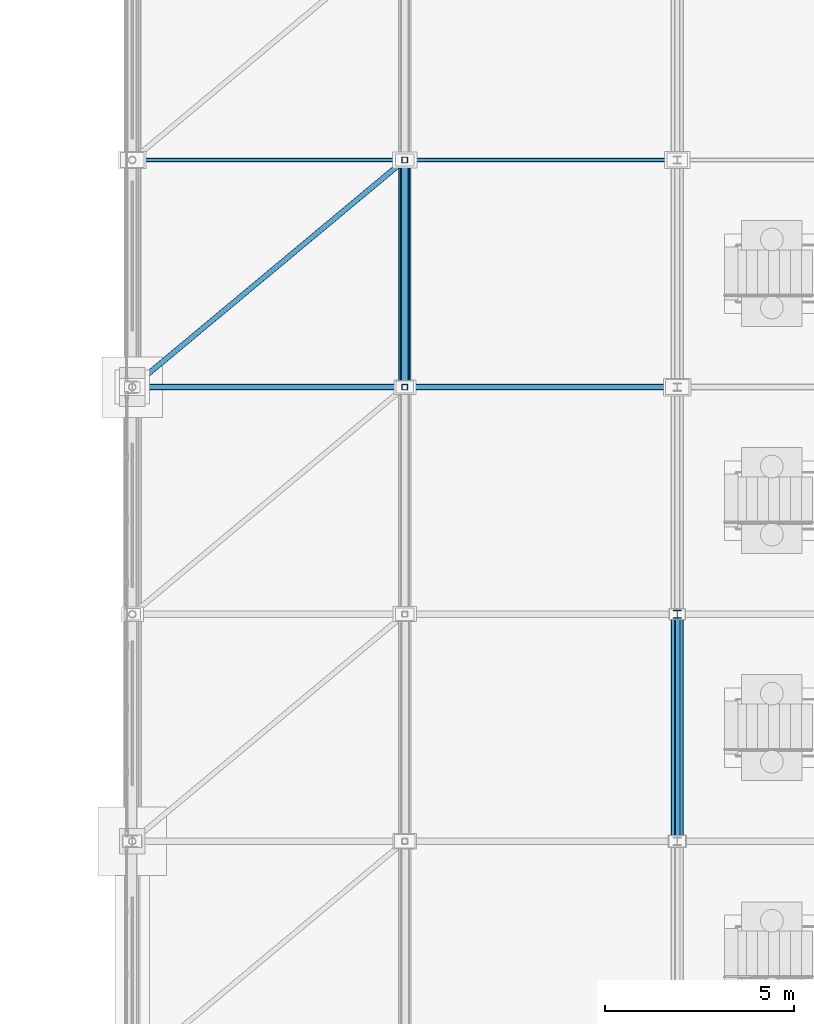
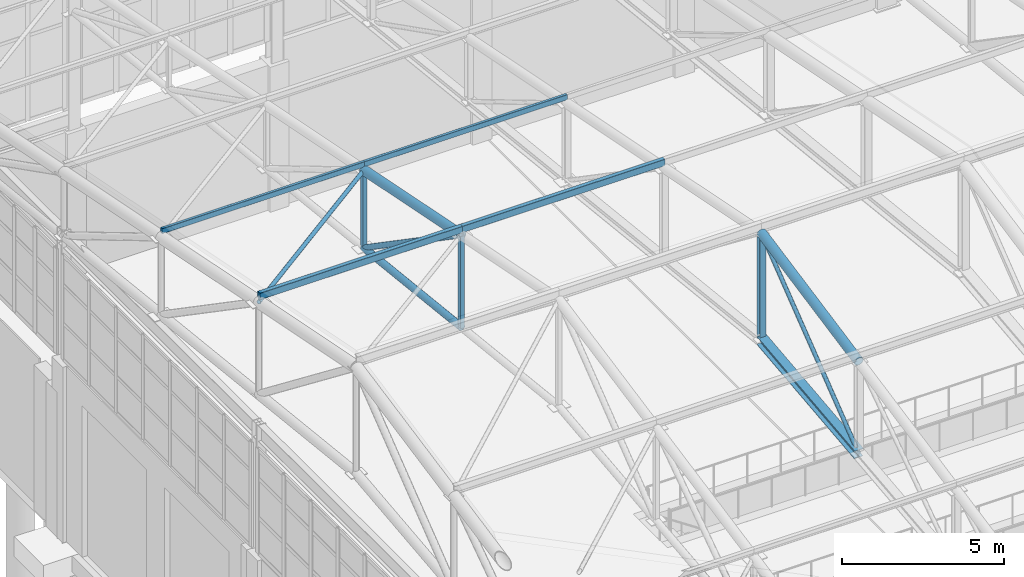
# One storey, part 123 of 293: 14 members.
"""IFC4 building model written with IfcOpenShell, lengths in metres."""

from ifc_helpers import new_model, si_unit, direction, frame, origin, origin_2d, place, context, subcontext, project, spatial, hollow_rectangle, hollow_circle, i_section, extrude, material, material_profile, profile_set, type_object, element, save


model = new_model("IFC4")

# Units and contexts
model_context = context("Model", 3, precision=1e-05, world=origin(), true_north=direction((0.0, 1.0)))
body_context = subcontext(model_context, "Body", "Model", "MODEL_VIEW")
ifc_project = project(units=[si_unit("LENGTHUNIT", "METRE"), si_unit("AREAUNIT", "SQUARE_METRE"), si_unit("VOLUMEUNIT", "CUBIC_METRE"), si_unit("PLANEANGLEUNIT", "RADIAN"), si_unit("MASSUNIT", "GRAM", prefix="KILO")], contexts=[model_context])

# Site, building, storey
site_placement = place(None, origin())
site = spatial("IfcSite", under=ifc_project, at=site_placement, CompositionType="ELEMENT")
building_placement = place(site_placement, origin())
building = spatial("IfcBuilding", under=site, at=building_placement, Name="Kemerveld Promenade Tramway Depot", CompositionType="ELEMENT")
storey_placement = place(building_placement, origin())
storey = spatial("IfcBuildingStorey", under=building, at=storey_placement, Name="L00", CompositionType="ELEMENT", Elevation=0.0)

# Members
ifc_material = material(Name="Steel S355", Category="steel")
ifc_material_profile_1 = material_profile(ifc_material, hollow_rectangle(XDim=0.14990234375, YDim=0.25, WallThickness=0.010009765625, InnerFilletRadius=0.0048828125, OuterFilletRadius=0.014892578125, at=origin_2d()), Name="250x150x10.0 RHS")
ifc_profile_set_1 = profile_set([ifc_material_profile_1], Name="Steel S355")
member_type_1 = type_object("IfcMemberType", Name="MB-PR1", PredefinedType="PURLIN", material=ifc_profile_set_1)
for number, where, z_axis, x_axis, name in (
    (1, (36.0, 120.0, 16.14501953125), (1.0, 0.0, 0.0), (0.0, 1.0, 0.0), "PUR-V1-06-06"),
    (2, (43.199951171875, 120.0, 16.14501953125), (1.0, 0.0, 0.0), (0.0, 1.0, 0.0), "PUR-V1-06-07"),
):
    element("IfcMember", number, at=place(storey_placement, frame(where, z_axis=z_axis, x_axis=x_axis)), inside=storey, type_object=member_type_1, Name=name, PredefinedType="PURLIN", context=body_context, shape_type="SweptSolid", body=[
        extrude(hollow_rectangle(XDim=0.14990234375, YDim=0.25, WallThickness=0.010009765625, InnerFilletRadius=0.0048828125, OuterFilletRadius=0.014892578125, at=origin_2d()), origin(), (0.0, 0.0, 1.0), 7.199951171875),
    ])
ifc_material_profile_2 = material_profile(ifc_material, hollow_rectangle(XDim=0.10009765625, YDim=0.199951171875, WallThickness=0.008056640625, InnerFilletRadius=0.00390625, OuterFilletRadius=0.011962890625, at=origin_2d()), Name="200x100x8.0 RHS")
ifc_profile_set_2 = profile_set([ifc_material_profile_2], Name="Steel S355")
member_type_2 = type_object("IfcMemberType", Name="MB-PR2", PredefinedType="PURLIN", material=ifc_profile_set_2)
for number, where, z_axis, x_axis, name in (
    (3, (36.0, 126.0, 14.945068359375), (1.0, 0.0, 0.0), (0.0, 1.0, 0.0), "PUR-V1-07-06"),
    (4, (43.199951171875, 126.0, 14.945068359375), (1.0, 0.0, 0.0), (0.0, 1.0, 0.0), "PUR-V1-07-07"),
):
    element("IfcMember", number, at=place(storey_placement, frame(where, z_axis=z_axis, x_axis=x_axis)), inside=storey, type_object=member_type_2, Name=name, PredefinedType="PURLIN", context=body_context, shape_type="SweptSolid", body=[
        extrude(hollow_rectangle(XDim=0.10009765625, YDim=0.199951171875, WallThickness=0.008056640625, InnerFilletRadius=0.00390625, OuterFilletRadius=0.011962890625, at=origin_2d()), origin(), (0.0, 0.0, 1.0), 7.199951171875),
    ])
ifc_material_profile_3 = material_profile(ifc_material, hollow_circle(Radius=0.096923828125, WallThickness=0.008056640625, at=origin_2d()), Name="193.7x8.0 CHS")
ifc_profile_set_3 = profile_set([ifc_material_profile_3], Name="Steel S355")
member_type_3 = type_object("IfcMemberType", Name="MB-TB2", PredefinedType="BRACE", material=ifc_profile_set_3)
member_1_placement = place(storey_placement, frame((43.199951171875, 126.0, 11.780029296875), z_axis=(0.0, -0.824370638462, 0.566050395673), x_axis=(1.0, 0.0, 0.0)))
element("IfcMember", 5, at=member_1_placement, inside=storey, type_object=member_type_3, Name="TR-07-DG-07", PredefinedType="BRACE", context=body_context, shape_type="SweptSolid", body=[
    extrude(hollow_circle(Radius=0.096923828125, WallThickness=0.008056640625, at=origin_2d()), origin(), (0.0, 0.0, 1.0), 7.2783203125),
])
ifc_material_profile_4 = material_profile(ifc_material, hollow_circle(Radius=0.06982421875, WallThickness=0.00634765625, at=origin_2d()), Name="139.7x6.3 CHS")
ifc_profile_set_4 = profile_set([ifc_material_profile_4], Name="Steel S355")
member_type_4 = type_object("IfcMemberType", Name="MB-TB3", PredefinedType="BRACE", material=ifc_profile_set_4)
member_2_placement = place(storey_placement, frame((50.39990234375, 108.0, 12.43994140625), z_axis=(0.0, 0.789767329101, 0.613406525793), x_axis=(-1.0, 0.0, 0.0)))
element("IfcMember", 6, at=member_2_placement, inside=storey, type_object=member_type_4, Name="TR-08-DG-05", PredefinedType="BRACE", context=body_context, shape_type="SweptSolid", body=[
    extrude(hollow_circle(Radius=0.06982421875, WallThickness=0.00634765625, at=origin_2d()), origin(), (0.0, 0.0, 1.0), 7.59716796875),
])
member_3_placement = place(storey_placement, frame((36.0, 120.0, 15.89990234375), z_axis=(0.761999094998, 0.635003552225, -0.126995542773), x_axis=(-0.640186961885, 0.768219144407, 0.0)))
element("IfcMember", 7, at=member_3_placement, inside=storey, type_object=member_type_4, Name="RBR-V1-06-06", PredefinedType="BRACE", context=body_context, shape_type="SweptSolid", body=[
    extrude(hollow_circle(Radius=0.06982421875, WallThickness=0.00634765625, at=origin_2d()), origin(), (0.0, 0.0, 1.0), 9.44873046875),
])
ifc_material_profile_5 = material_profile(ifc_material, hollow_circle(Radius=0.161865234375, WallThickness=0.012451171875, at=origin_2d()), Name="323.9x12.5 CHS")
ifc_profile_set_5 = profile_set([ifc_material_profile_5], Name="Steel S355")
member_type_5 = type_object("IfcMemberType", Name="MB-TC2", PredefinedType="CHORD", material=ifc_profile_set_5)
for number, where, z_axis, x_axis, name in (
    (8, (43.199951171875, 120.0, 15.89990234375), (0.0, 0.980582210276, -0.196108462057), (-1.0, 0.0, 0.0), "TR-07-TC-07"),
    (9, (50.39990234375, 108.0, 15.89990234375), (0.0, 0.980574536798, 0.196146827104), (-1.0, 0.0, 0.0), "TR-08-TC-05"),
):
    element("IfcMember", number, at=place(storey_placement, frame(where, z_axis=z_axis, x_axis=x_axis)), inside=storey, type_object=member_type_5, Name=name, PredefinedType="CHORD", context=body_context, shape_type="SweptSolid", body=[
        extrude(hollow_circle(Radius=0.161865234375, WallThickness=0.012451171875, at=origin_2d()), origin(), (0.0, 0.0, 1.0), 6.118896484375),
    ])
ifc_material_profile_6 = material_profile(ifc_material, hollow_circle(Radius=0.122314453125, WallThickness=0.010009765625, at=origin_2d()), Name="244.5x10.0 CHS")
ifc_profile_set_6 = profile_set([ifc_material_profile_6], Name="Steel S355")
member_type_6 = type_object("IfcMemberType", Name="MB-TC3", PredefinedType="CHORD", material=ifc_profile_set_6)
member_4_placement = place(storey_placement, frame((43.199951171875, 120.0, 12.43994140625), z_axis=(0.0, 0.994005938353, -0.109326092585), x_axis=(-1.0, 0.0, 0.0)))
element("IfcMember", 10, at=member_4_placement, inside=storey, type_object=member_type_6, Name="TR-07-BC-07", PredefinedType="CHORD", context=body_context, shape_type="SweptSolid", body=[
    extrude(hollow_circle(Radius=0.122314453125, WallThickness=0.010009765625, at=origin_2d()), origin(), (0.0, 0.0, 1.0), 6.0361328125),
])
ifc_material_profile_7 = material_profile(ifc_material, i_section(OverallWidth=0.307373046875, OverallDepth=0.314453125, WebThickness=0.011962890625, FlangeThickness=0.018798828125, FilletRadius=0.01513671875, at=origin_2d()), Name="305x305x118 UC")
ifc_profile_set_7 = profile_set([ifc_material_profile_7], Name="Steel S355")
member_type_7 = type_object("IfcMemberType", Name="MB-TC4", PredefinedType="CHORD", material=ifc_profile_set_7)
member_5_placement = place(storey_placement, frame((50.39990234375, 108.0, 12.43994140625), z_axis=(0.0, 0.994001542248, 0.109366055104), x_axis=(-1.0, 0.0, 0.0)))
element("IfcMember", 11, at=member_5_placement, inside=storey, type_object=member_type_7, Name="TR-08-BC-05", PredefinedType="CHORD", context=body_context, shape_type="SweptSolid", body=[
    extrude(i_section(OverallWidth=0.307373046875, OverallDepth=0.314453125, WebThickness=0.011962890625, FlangeThickness=0.018798828125, FilletRadius=0.01513671875, at=origin_2d()), origin(), (0.0, 0.0, 1.0), 6.0361328125),
])
ifc_material_profile_8 = material_profile(ifc_material, hollow_rectangle(XDim=0.14990234375, YDim=0.14990234375, WallThickness=0.008056640625, InnerFilletRadius=0.00390625, OuterFilletRadius=0.011962890625, at=origin_2d()), Name="150x150x8.0 SHS")
ifc_profile_set_8 = profile_set([ifc_material_profile_8], Name="Steel S355")
member_type_8 = type_object("IfcMemberType", Name="MB-TP2", PredefinedType="POST", material=ifc_profile_set_8)
member_6_placement = place(storey_placement, frame((43.199951171875, 120.0, 12.43994140625), z_axis=(0.0, 0.0, 1.0), x_axis=(1.0, 0.0, 0.0)))
element("IfcMember", 12, at=member_6_placement, inside=storey, type_object=member_type_8, Name="TR-07-VT-06", PredefinedType="POST", context=body_context, shape_type="SweptSolid", body=[
    extrude(hollow_rectangle(XDim=0.14990234375, YDim=0.14990234375, WallThickness=0.008056640625, InnerFilletRadius=0.00390625, OuterFilletRadius=0.011962890625, at=origin_2d()), origin(), (0.0, 0.0, 1.0), 3.4599609375),
])
member_7_placement = place(storey_placement, frame((43.199951171875, 126.0, 11.780029296875), z_axis=(0.0, 0.0, 1.0), x_axis=(1.0, 0.0, 0.0)))
element("IfcMember", 13, at=member_7_placement, inside=storey, type_object=member_type_8, Name="TR-07-VT-07", PredefinedType="POST", context=body_context, shape_type="SweptSolid", body=[
    extrude(hollow_rectangle(XDim=0.14990234375, YDim=0.14990234375, WallThickness=0.008056640625, InnerFilletRadius=0.00390625, OuterFilletRadius=0.011962890625, at=origin_2d()), origin(), (0.0, 0.0, 1.0), 2.919921875),
])
ifc_material_profile_9 = material_profile(ifc_material, i_section(OverallWidth=0.205810546875, OverallDepth=0.209716796875, WebThickness=0.009521484375, FlangeThickness=0.01416015625, FilletRadius=0.01025390625, at=origin_2d()), Name="203x203x60 UC")
ifc_profile_set_9 = profile_set([ifc_material_profile_9], Name="Steel S355")
member_type_9 = type_object("IfcMemberType", Name="MB-TP3", PredefinedType="POST", material=ifc_profile_set_9)
member_8_placement = place(storey_placement, frame((50.39990234375, 114.0, 13.10009765625), z_axis=(0.0, 0.0, 1.0), x_axis=(1.0, 0.0, 0.0)))
element("IfcMember", 14, at=member_8_placement, inside=storey, type_object=member_type_9, Name="TR-08-VT-05", PredefinedType="POST", context=body_context, shape_type="SweptSolid", body=[
    extrude(i_section(OverallWidth=0.205810546875, OverallDepth=0.209716796875, WebThickness=0.009521484375, FlangeThickness=0.01416015625, FilletRadius=0.01025390625, at=origin_2d()), origin(), (0.0, 0.0, 1.0), 4.0),
])

save(model, "model.ifc")
